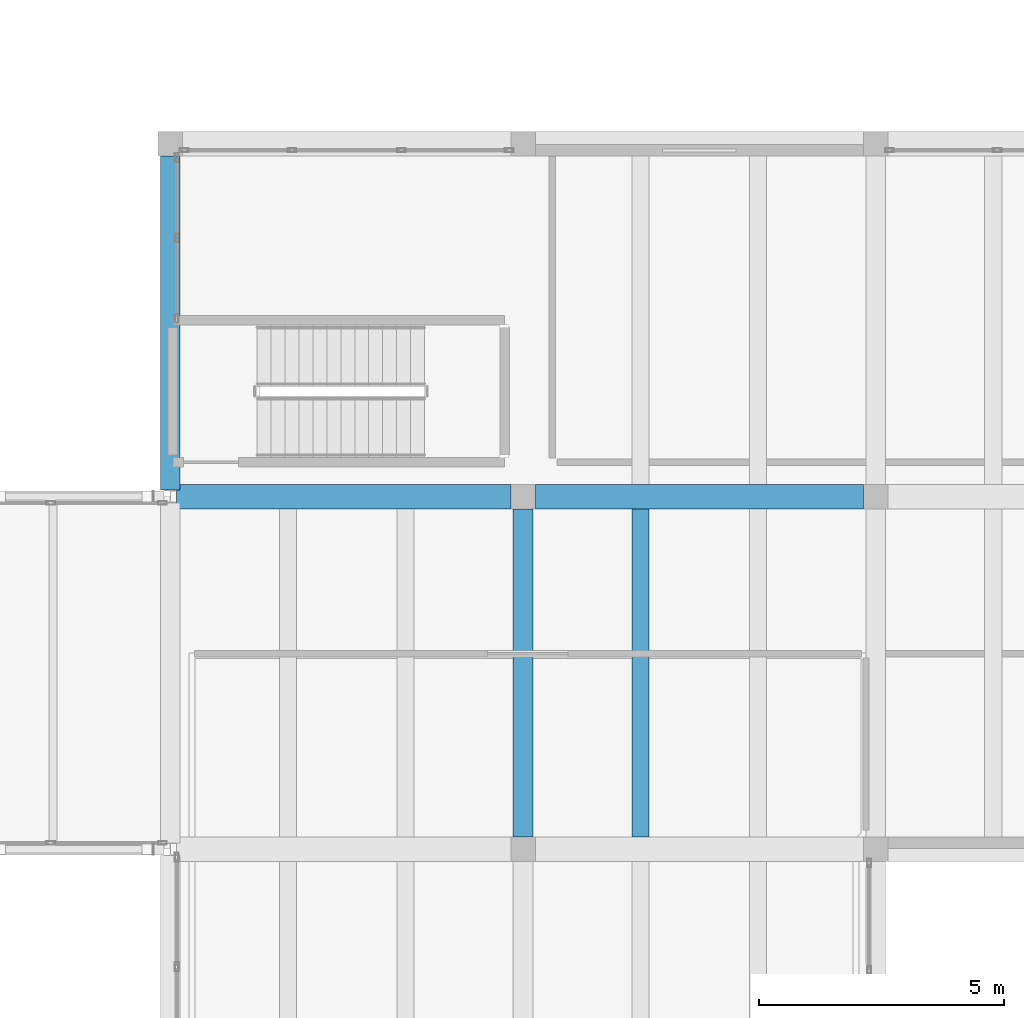
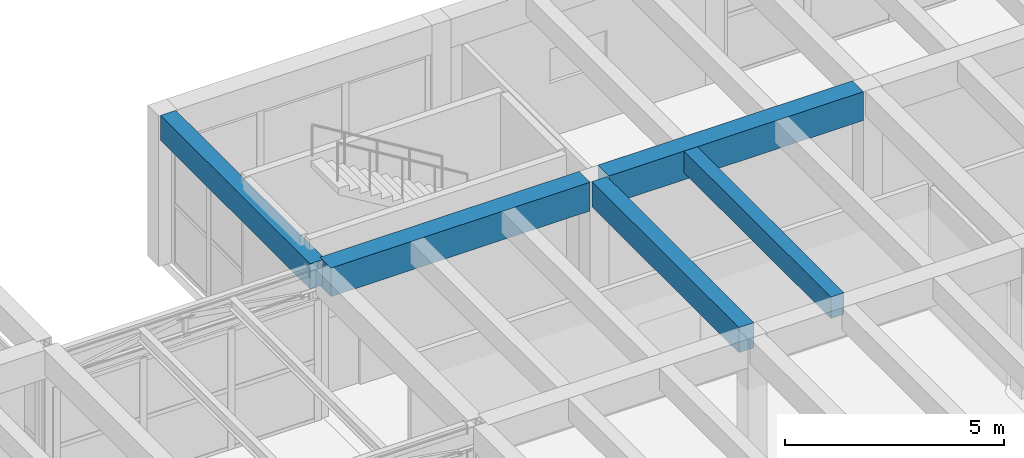
# One storey, part 53 of 153: 5 beams.
"""IFC4 building model written with IfcOpenShell, lengths in metres."""

from ifc_helpers import new_model, si_unit, direction, frame, origin, origin_2d, place, context, subcontext, project, spatial, rectangle, extrude, material, material_profile, profile_set, type_object, element, save


model = new_model("IFC4")

# Units and contexts
model_context = context("Model", 3, precision=1e-05, world=origin(), true_north=direction((0.0, 1.0)))
body_context = subcontext(model_context, "Body", "Model", "MODEL_VIEW")
ifc_project = project(units=[si_unit("LENGTHUNIT", "METRE"), si_unit("AREAUNIT", "SQUARE_METRE"), si_unit("VOLUMEUNIT", "CUBIC_METRE"), si_unit("PLANEANGLEUNIT", "RADIAN"), si_unit("MASSUNIT", "GRAM", prefix="KILO")], contexts=[model_context])

# Site, building, storey
site_placement = place(None, origin())
site = spatial("IfcSite", under=ifc_project, at=site_placement, CompositionType="ELEMENT")
building_placement = place(site_placement, origin())
building = spatial("IfcBuilding", under=site, at=building_placement, Name="Bramvelor Terrace Health Centre", CompositionType="ELEMENT")
storey_placement = place(building_placement, frame((0.0, 0.0, 4.800048828125)))
storey = spatial("IfcBuildingStorey", under=building, at=storey_placement, Name="L02", CompositionType="ELEMENT", Elevation=4.800048828125)

# Beams
ifc_material_1 = material(Name="Concrete C40/50", Category="concrete")
ifc_material_profile_1 = material_profile(ifc_material_1, rectangle(XDim=0.39990234375, YDim=0.699951171875, at=origin_2d()), Name="RC 400x700")
ifc_profile_set_1 = profile_set([ifc_material_profile_1], Name="Concrete C40/50")
beam_type_1 = type_object("IfcBeamType", Name="BM-RC-G700", PredefinedType="BEAM", material=ifc_profile_set_1)
beam_1_placement = place(storey_placement, frame((100.800048828125, 57.730224609375, 3.849853515625), z_axis=(0.0, 1.0, 0.0), x_axis=(-1.0, 0.0, 0.0)))
element("IfcBeam", 1, at=beam_1_placement, inside=storey, type_object=beam_type_1, Name="L02 Floor Girder", PredefinedType="BEAM", context=body_context, shape_type="SweptSolid", body=[
    extrude(rectangle(XDim=0.39990234375, YDim=0.699951171875, at=origin_2d()), origin(), (0.0, 0.0, 1.0), 6.81982421875),
])
beam_2_placement = place(storey_placement, frame((108.0, 50.64990234375, 3.849853515625), z_axis=(0.0, 1.0, 0.0), x_axis=(-1.0, 0.0, 0.0)))
element("IfcBeam", 2, at=beam_2_placement, inside=storey, type_object=beam_type_1, Name="L02 Floor Girder", PredefinedType="BEAM", context=body_context, shape_type="SweptSolid", body=[
    extrude(rectangle(XDim=0.39990234375, YDim=0.699951171875, at=origin_2d()), origin(), (0.0, 0.0, 1.0), 6.7001953125),
])
ifc_material_2 = material(Name="Concrete C40/50", Category="concrete")
ifc_material_profile_2 = material_profile(ifc_material_2, rectangle(XDim=0.5, YDim=0.800048828125, at=origin_2d()), Name="RC 500x800")
ifc_profile_set_2 = profile_set([ifc_material_profile_2], Name="Concrete C40/50")
beam_type_2 = type_object("IfcBeamType", Name="BM-RC-G800", PredefinedType="BEAM", material=ifc_profile_set_2)
beam_3_placement = place(storey_placement, frame((100.92822265625, 57.60009765625, 3.800048828125), z_axis=(1.0, 0.0, 0.0), x_axis=(0.0, 1.0, 0.0)))
element("IfcBeam", 3, at=beam_3_placement, inside=storey, type_object=beam_type_2, Name="L02 Floor Girder", PredefinedType="BEAM", context=body_context, shape_type="SweptSolid", body=[
    extrude(rectangle(XDim=0.5, YDim=0.800048828125, at=origin_2d()), origin(), (0.0, 0.0, 1.0), 6.82177734375),
])
beam_4_placement = place(storey_placement, frame((108.25, 57.60009765625, 3.800048828125), z_axis=(1.0, 0.0, 0.0), x_axis=(0.0, 1.0, 0.0)))
element("IfcBeam", 4, at=beam_4_placement, inside=storey, type_object=beam_type_2, Name="L02 Floor Girder", PredefinedType="BEAM", context=body_context, shape_type="SweptSolid", body=[
    extrude(rectangle(XDim=0.5, YDim=0.800048828125, at=origin_2d()), origin(), (0.0, 0.0, 1.0), 6.699951171875),
])
ifc_material_3 = material(Name="Concrete C40/50", Category="concrete")
ifc_material_profile_3 = material_profile(ifc_material_3, rectangle(XDim=0.35009765625, YDim=0.60009765625, at=origin_2d()), Name="RC 350x600")
ifc_profile_set_3 = profile_set([ifc_material_profile_3], Name="Concrete C40/50")
beam_type_3 = type_object("IfcBeamType", Name="BM-RC-J600", PredefinedType="JOIST", material=ifc_profile_set_3)
beam_5_placement = place(storey_placement, frame((110.39990234375, 50.64990234375, 3.89990234375), z_axis=(0.0, 1.0, 0.0), x_axis=(-1.0, 0.0, 0.0)))
element("IfcBeam", 5, at=beam_5_placement, inside=storey, type_object=beam_type_3, Name="L02 Secondary Floor Joist", PredefinedType="JOIST", context=body_context, shape_type="SweptSolid", body=[
    extrude(rectangle(XDim=0.35009765625, YDim=0.60009765625, at=origin_2d()), origin(), (0.0, 0.0, 1.0), 6.7001953125),
])

save(model, "model.ifc")
